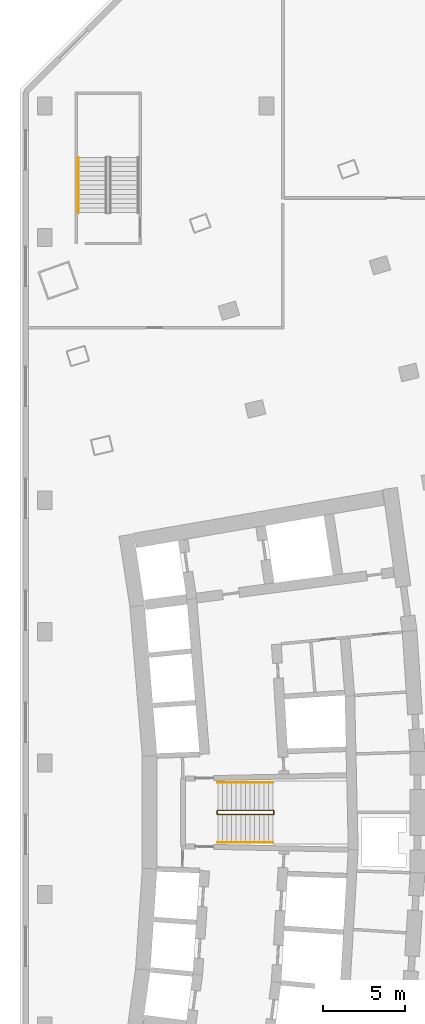
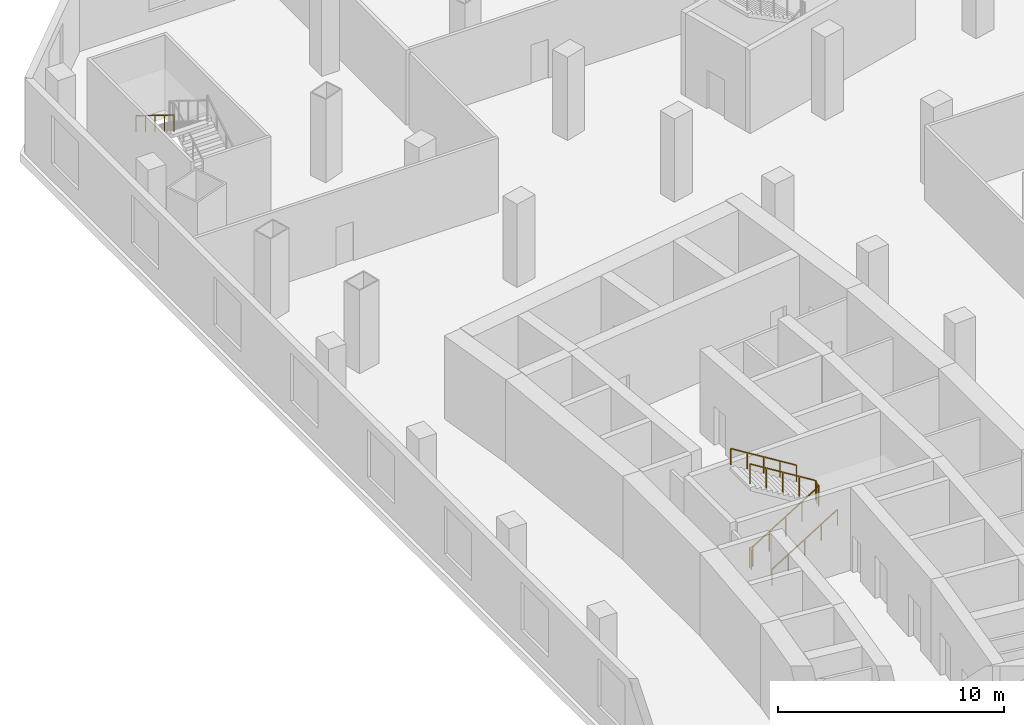
# One storey, part 14 of 16: 4 railings.
"""IFC4 building model written with IfcOpenShell, lengths in metres."""

import ifcopenshell
import ifcopenshell.guid

model = None  # the IFC model being written
_history = None  # IfcOwnerHistory: only IFC2X3 demands one
_inside = {}  # id of a spatial element -> (the spatial element, [elements in it])
_under = {}  # id of a project, library or spatial element -> (it, [spatial elements below it])
_declared = {}  # id of a project -> (the project, [libraries it declares])
_typed = {}  # id of a type object -> (the type object, [elements of that type])
_made_of = {}  # id of a material, layer set ... -> (it, [elements and type objects made of it])


def new_model(schema):
    """Start an empty IFC model of exactly this schema.

    Asked for "IFC4X3", IfcOpenShell would pick the latest addendum, in which some entities
    have other attributes; the version numbers below select the first issue.
    IFC2X3 requires an IfcOwnerHistory on every rooted entity: one is made here for all.
    """
    global model, _history
    if schema == "IFC4X3":
        model = ifcopenshell.file(schema_version=(4, 3, 0, 0))
    else:
        model = ifcopenshell.file(schema=schema)
    _inside.clear()
    _under.clear()
    _declared.clear()
    _typed.clear()
    _made_of.clear()
    _history = None
    if model.schema == "IFC2X3":
        org = make("IfcOrganization", Name="unknown")
        user = make(
            "IfcPersonAndOrganization",
            ThePerson=make("IfcPerson", FamilyName="unknown"),
            TheOrganization=org,
        )
        app = make(
            "IfcApplication",
            ApplicationDeveloper=org,
            Version="unknown",
            ApplicationFullName="unknown",
            ApplicationIdentifier="unknown",
        )
        _history = make(
            "IfcOwnerHistory",
            OwningUser=user,
            OwningApplication=app,
            ChangeAction="ADDED",
            CreationDate=0,
        )
    return model


def make(cls, **values):
    """One entity of the class cls with the attributes given. An attribute that is None is left unset."""
    return model.create_entity(
        cls, **{name: value for name, value in values.items() if value is not None}
    )


def rooted(cls, **values):
    """An entity with a GlobalId (a new one), such as an element, a storey or a relation."""
    return make(cls, GlobalId=ifcopenshell.guid.new(), OwnerHistory=_history, **values)


def si_unit(unit_type, name, prefix=None):
    """IfcSIUnit, for example si_unit("LENGTHUNIT", "METRE", prefix="MILLI")."""
    return make("IfcSIUnit", UnitType=unit_type, Prefix=prefix, Name=name)


def assignment(units):
    """IfcUnitAssignment: the units of a project."""
    return None if units is None else make("IfcUnitAssignment", Units=units)


def point(xyz):
    """IfcCartesianPoint."""
    return None if xyz is None else make("IfcCartesianPoint", Coordinates=xyz)


def direction(xyz):
    """IfcDirection."""
    return None if xyz is None else make("IfcDirection", DirectionRatios=xyz)


def frame(location, z_axis=None, x_axis=None):
    """IfcAxis2Placement3D, a coordinate frame: its origin and axes. An axis left out is left unset."""
    return make(
        "IfcAxis2Placement3D",
        Location=point(location),
        Axis=direction(z_axis),
        RefDirection=direction(x_axis),
    )


def frame_2d(location, x_axis=None):
    """IfcAxis2Placement2D, a coordinate frame in the plane: its origin and x axis."""
    return make(
        "IfcAxis2Placement2D", Location=point(location), RefDirection=direction(x_axis)
    )


def origin():
    """The frame at (0, 0, 0) with its axes left unset."""
    return frame((0.0, 0.0, 0.0))


def origin_with_axes():
    """The frame at (0, 0, 0) with the z axis (0, 0, 1) and the x axis (1, 0, 0) written out."""
    return frame((0.0, 0.0, 0.0), z_axis=(0.0, 0.0, 1.0), x_axis=(1.0, 0.0, 0.0))


def origin_2d():
    """The frame at (0, 0) in the plane with its x axis left unset."""
    return frame_2d((0.0, 0.0))


def place(relative_to, where):
    """IfcLocalPlacement: puts the frame where relative to a parent placement (None: the world)."""
    return make(
        "IfcLocalPlacement", PlacementRelTo=relative_to, RelativePlacement=where
    )


def context(
    kind, dimensions, precision=None, world=None, true_north=None, identifier=None
):
    """IfcGeometricRepresentationContext, for example the 3D "Model" context."""
    return make(
        "IfcGeometricRepresentationContext",
        ContextIdentifier=identifier,
        ContextType=kind,
        CoordinateSpaceDimension=dimensions,
        Precision=precision,
        WorldCoordinateSystem=world,
        TrueNorth=true_north,
    )


def subcontext(parent, identifier, kind, view, scale=None):
    """IfcGeometricRepresentationSubContext, for example "Body" below "Model"."""
    return make(
        "IfcGeometricRepresentationSubContext",
        ContextIdentifier=identifier,
        ContextType=kind,
        ParentContext=parent,
        TargetScale=scale,
        TargetView=view,
    )


def project(units=None, contexts=None):
    """IfcProject with its units and contexts."""
    return rooted(
        "IfcProject",
        Name="project",
        RepresentationContexts=contexts,
        UnitsInContext=assignment(units),
    )


def spatial(cls, under=None, at=None, **own):
    """A site, building, storey or space (cls), placed at a placement, below another one or the project."""
    s = rooted(cls, ObjectPlacement=at, **own)
    if under is not None:
        _under.setdefault(under.id(), (under, []))[1].append(s)
    return s


def profile(cls, at=None, kind="AREA", **sizes):
    """A parametric profile (cls). Its sizes go by their IFC names, for example OverallWidth=200.0."""
    return make(cls, ProfileType=kind, Position=at, **sizes)


def rectangle(**sizes):
    """IfcRectangleProfileDef."""
    return profile("IfcRectangleProfileDef", **sizes)


def extrude(swept, where, along, depth):
    """IfcExtrudedAreaSolid: the profile swept, set in the frame where, extruded along a direction by depth."""
    return make(
        "IfcExtrudedAreaSolid",
        SweptArea=swept,
        Position=where,
        ExtrudedDirection=direction(along),
        Depth=depth,
    )


def shape(context_of_items, identifier, shape_type, items):
    """IfcShapeRepresentation: the items that make up one representation, for example the "Body"."""
    return make(
        "IfcShapeRepresentation",
        ContextOfItems=context_of_items,
        RepresentationIdentifier=identifier,
        RepresentationType=shape_type,
        Items=items,
    )


def material(Name=None, Category=None):
    """IfcMaterial."""
    return make("IfcMaterial", Name=Name, Category=Category)


def made_of(thing, what):
    """Note that an element or type object is made of a material, layer set ...; save() writes the relation."""
    if what is not None:
        _made_of.setdefault(what.id(), (what, []))[1].append(thing)
    return thing


def type_object(cls, material=None, **own):
    """A type object (cls), such as IfcWallType, which elements share."""
    return made_of(rooted(cls, **own), material)


def element(
    cls,
    number,
    at=None,
    inside=None,
    cuts=None,
    type_object=None,
    material=None,
    context=None,
    identifier="Body",
    shape_type=None,
    held_by="IfcProductDefinitionShape",
    body=None,
    shapes=None,
    **own,
):
    """One element of the class cls, such as IfcWall. Its Tag is "e" and its number.

    at: its placement. inside: the storey or other place that contains it. cuts: it is an
    opening in that element (IfcRelVoidsElement). A single representation is given by context,
    identifier, shape_type and body (its items); several are given by shapes. held_by: the class
    of the entity that holds the representations. save() writes the other relations.
    """
    e = rooted(cls, Tag="e%d" % number, ObjectPlacement=at, **own)
    if body is not None:
        shapes = [shape(context, identifier, shape_type, body)]
    if shapes is not None:
        e.Representation = make(held_by, Representations=shapes)
    if inside is not None:
        _inside.setdefault(inside.id(), (inside, []))[1].append(e)
    if cuts is not None:
        rooted(
            "IfcRelVoidsElement", RelatingBuildingElement=cuts, RelatedOpeningElement=e
        )
    if type_object is not None:
        _typed.setdefault(type_object.id(), (type_object, []))[1].append(e)
    return made_of(e, material)


def aggregate(whole, parts):
    """IfcRelAggregates: a whole, such as a stair, and the parts it consists of."""
    return rooted("IfcRelAggregates", RelatingObject=whole, RelatedObjects=parts)


def save(model, path):
    """Write the relations noted so far, then the file.

    IfcRelAggregates (storeys below a building ...), IfcRelContainedInSpatialStructure (elements
    in a storey), IfcRelDefinesByType, IfcRelAssociatesMaterial and IfcRelDeclares: one each for
    every whole, place, type object, material and project.
    """
    for whole, parts in _under.values():
        aggregate(whole, parts)
    for where, things in _inside.values():
        rooted(
            "IfcRelContainedInSpatialStructure",
            RelatedElements=things,
            RelatingStructure=where,
        )
    for kind, things in _typed.values():
        rooted("IfcRelDefinesByType", RelatedObjects=things, RelatingType=kind)
    for what, things in _made_of.values():
        rooted("IfcRelAssociatesMaterial", RelatedObjects=things, RelatingMaterial=what)
    for by, libraries in _declared.values():
        rooted("IfcRelDeclares", RelatingContext=by, RelatedDefinitions=libraries)
    model.write(path)


model = new_model("IFC4")

# Units and contexts
model_context = context("Model", 3, precision=1e-05, world=origin(), true_north=direction((0.0, 1.0)))
body_context = subcontext(model_context, "Body", "Model", "MODEL_VIEW")
ifc_project = project(units=[si_unit("LENGTHUNIT", "METRE"), si_unit("AREAUNIT", "SQUARE_METRE"), si_unit("VOLUMEUNIT", "CUBIC_METRE"), si_unit("PLANEANGLEUNIT", "RADIAN"), si_unit("MASSUNIT", "GRAM", prefix="KILO")], contexts=[model_context])

# Site, building, storey
site_placement = place(None, origin())
site = spatial("IfcSite", under=ifc_project, at=site_placement, CompositionType="ELEMENT")
building_placement = place(site_placement, origin())
building = spatial("IfcBuilding", under=site, at=building_placement, Name="Alderwake Tower", CompositionType="ELEMENT")
storey_placement = place(building_placement, frame((0.0, 0.0, 18.5)))
storey = spatial("IfcBuildingStorey", under=building, at=storey_placement, Name="L03", CompositionType="ELEMENT", Elevation=18.5)

# Railings
ifc_material_1 = material(Name="Stainless steel guard", Category="steel")
railing_type_1 = type_object("IfcRailingType", Name="Stair guard 1100", PredefinedType="GUARDRAIL", material=ifc_material_1)
railing_1_placement = place(storey_placement, frame((20.989990234375, 60.925048828125, 0.0)))
element("IfcRailing", 1, at=railing_1_placement, inside=storey, type_object=railing_type_1, Name="L03 ST-B stair guard 1", PredefinedType="GUARDRAIL", context=body_context, shape_type="SweptSolid", body=[
    extrude(rectangle(XDim=0.048095703125, YDim=0.048095703125, at=origin_2d()), frame((0.0, 0.0, 1.076171875), z_axis=(0.0, 1.0, 0.0), x_axis=(-1.0, 0.0, 0.0)), (0.0, 0.0, 1.0), 0.14990234375),
    extrude(rectangle(XDim=0.048095703125, YDim=0.048095703125, at=origin_2d()), frame((0.0, 0.14990234375, 1.076171875), z_axis=(0.185944045274, -0.742869136974, 0.643094283413), x_axis=(0.970072785993, 0.242814311512, 0.0)), (0.0, 0.0, 1.0), 0.26904296875),
    extrude(rectangle(XDim=0.048095703125, YDim=0.048095703125, at=origin_2d()), frame((0.050048828125, -0.050048828125, 1.2490234375), z_axis=(0.850606129759, 0.0, 0.525803396734), x_axis=(0.0, 1.0, 0.0)), (0.0, 0.0, 1.0), 3.949951171875),
    extrude(rectangle(XDim=0.048095703125, YDim=0.048095703125, at=origin_2d()), frame((3.409912109375, -0.050048828125, 3.326171875), z_axis=(0.707106781187, 0.707106781187, 0.0), x_axis=(-0.707106781187, 0.707106781187, 0.0)), (0.0, 0.0, 1.0), 0.07080078125),
    extrude(rectangle(XDim=0.048095703125, YDim=0.048095703125, at=origin_2d()), frame((3.4599609375, 0.0, 3.326171875), z_axis=(0.0, 1.0, 0.0), x_axis=(-1.0, 0.0, 0.0)), (0.0, 0.0, 1.0), 0.14990234375),
    extrude(rectangle(XDim=0.048095703125, YDim=0.048095703125, at=origin_2d()), frame((3.4599609375, 0.14990234375, 3.326171875), z_axis=(-0.267629722418, 0.267629722418, 0.925607186314), x_axis=(-0.707106781187, -0.707106781187, 0.0)), (0.0, 0.0, 1.0), 0.18701171875),
    extrude(rectangle(XDim=0.048095703125, YDim=0.048095703125, at=origin_2d()), frame((3.409912109375, 0.199951171875, 3.4990234375), z_axis=(-0.850606129759, 0.0, 0.525803396734), x_axis=(0.0, -1.0, 0.0)), (0.0, 0.0, 1.0), 3.949951171875),
    extrude(rectangle(XDim=0.0419921875, YDim=0.0419921875, at=origin_2d()), frame((0.0, 0.0, 0.0), z_axis=(0.0, 0.0, 1.0), x_axis=(0.0, 1.0, 0.0)), (0.0, 0.0, 1.0), 1.052001953125),
    extrude(rectangle(XDim=0.0419921875, YDim=0.0419921875, at=origin_2d()), frame((0.0, 0.14990234375, 0.0), z_axis=(0.0, 0.0, 1.0), x_axis=(0.242814311512, -0.970072785993, 0.0)), (0.0, 0.0, 1.0), 1.052001953125),
    extrude(rectangle(XDim=0.0419921875, YDim=0.0419921875, at=origin_2d()), frame((0.050048828125, -0.050048828125, 0.173095703125), z_axis=(0.0, 0.0, 1.0), x_axis=(1.0, 0.0, 0.0)), (0.0, 0.0, 1.0), 1.052001953125),
    extrude(rectangle(XDim=0.0419921875, YDim=0.0419921875, at=origin_2d()), frame((0.89013671875, -0.050048828125, 0.6923828125), z_axis=(0.0, 0.0, 1.0), x_axis=(1.0, 0.0, 0.0)), (0.0, 0.0, 1.0), 1.052001953125),
    extrude(rectangle(XDim=0.0419921875, YDim=0.0419921875, at=origin_2d()), frame((1.72998046875, -0.050048828125, 1.21142578125), z_axis=(0.0, 0.0, 1.0), x_axis=(1.0, 0.0, 0.0)), (0.0, 0.0, 1.0), 1.052001953125),
    extrude(rectangle(XDim=0.0419921875, YDim=0.0419921875, at=origin_2d()), frame((2.56982421875, -0.050048828125, 1.730712890625), z_axis=(0.0, 0.0, 1.0), x_axis=(1.0, 0.0, 0.0)), (0.0, 0.0, 1.0), 1.052001953125),
    extrude(rectangle(XDim=0.0419921875, YDim=0.0419921875, at=origin_2d()), frame((3.409912109375, -0.050048828125, 2.25), z_axis=(0.0, 0.0, 1.0), x_axis=(0.707106781187, 0.707106781187, 0.0)), (0.0, 0.0, 1.0), 1.052001953125),
    extrude(rectangle(XDim=0.0419921875, YDim=0.0419921875, at=origin_2d()), frame((3.4599609375, 0.0, 2.25), z_axis=(0.0, 0.0, 1.0), x_axis=(0.0, 1.0, 0.0)), (0.0, 0.0, 1.0), 1.052001953125),
    extrude(rectangle(XDim=0.0419921875, YDim=0.0419921875, at=origin_2d()), frame((3.4599609375, 0.14990234375, 2.25), z_axis=(0.0, 0.0, 1.0), x_axis=(-0.707106781187, 0.707106781187, 0.0)), (0.0, 0.0, 1.0), 1.052001953125),
    extrude(rectangle(XDim=0.0419921875, YDim=0.0419921875, at=origin_2d()), frame((3.409912109375, 0.199951171875, 2.423095703125), z_axis=(0.0, 0.0, 1.0), x_axis=(-1.0, 0.0, 0.0)), (0.0, 0.0, 1.0), 1.052001953125),
    extrude(rectangle(XDim=0.0419921875, YDim=0.0419921875, at=origin_2d()), frame((2.56982421875, 0.199951171875, 2.9423828125), z_axis=(0.0, 0.0, 1.0), x_axis=(-1.0, 0.0, 0.0)), (0.0, 0.0, 1.0), 1.052001953125),
    extrude(rectangle(XDim=0.0419921875, YDim=0.0419921875, at=origin_2d()), frame((1.72998046875, 0.199951171875, 3.46142578125), z_axis=(0.0, 0.0, 1.0), x_axis=(-1.0, 0.0, 0.0)), (0.0, 0.0, 1.0), 1.052001953125),
    extrude(rectangle(XDim=0.0419921875, YDim=0.0419921875, at=origin_2d()), frame((0.89013671875, 0.199951171875, 3.980712890625), z_axis=(0.0, 0.0, 1.0), x_axis=(-1.0, 0.0, 0.0)), (0.0, 0.0, 1.0), 1.052001953125),
    extrude(rectangle(XDim=0.0419921875, YDim=0.0419921875, at=origin_2d()), frame((0.050048828125, 0.199951171875, 4.5), z_axis=(0.0, 0.0, 1.0), x_axis=(-1.0, 0.0, 0.0)), (0.0, 0.0, 1.0), 1.052001953125),
])
ifc_material_2 = material(Name="Stainless steel handrail", Category="steel")
railing_type_2 = type_object("IfcRailingType", Name="Stair handrail 900", PredefinedType="HANDRAIL", material=ifc_material_2)
railing_2_placement = place(storey_placement, frame((21.0400390625, 59.175048828125, 0.173095703125)))
element("IfcRailing", 2, at=railing_2_placement, inside=storey, type_object=railing_type_2, Name="L03 ST-B stair handrail 1", PredefinedType="HANDRAIL", context=body_context, shape_type="SweptSolid", body=[
    extrude(rectangle(XDim=0.048095703125, YDim=0.048095703125, at=origin_2d()), frame((0.0, 0.0, 0.8759765625), z_axis=(0.850606129759, 0.0, 0.525803396734), x_axis=(0.0, 1.0, 0.0)), (0.0, 0.0, 1.0), 3.949951171875),
    extrude(rectangle(XDim=0.0419921875, YDim=0.0419921875, at=origin_2d()), origin_with_axes(), (0.0, 0.0, 1.0), 0.851806640625),
    extrude(rectangle(XDim=0.0419921875, YDim=0.0419921875, at=origin_2d()), frame((0.83984375, 0.0, 0.519287109375), z_axis=(0.0, 0.0, 1.0), x_axis=(1.0, 0.0, 0.0)), (0.0, 0.0, 1.0), 0.851806640625),
    extrude(rectangle(XDim=0.0419921875, YDim=0.0419921875, at=origin_2d()), frame((1.679931640625, 0.0, 1.03857421875), z_axis=(0.0, 0.0, 1.0), x_axis=(1.0, 0.0, 0.0)), (0.0, 0.0, 1.0), 0.851806640625),
    extrude(rectangle(XDim=0.0419921875, YDim=0.0419921875, at=origin_2d()), frame((2.52001953125, 0.0, 1.5576171875), z_axis=(0.0, 0.0, 1.0), x_axis=(1.0, 0.0, 0.0)), (0.0, 0.0, 1.0), 0.851806640625),
    extrude(rectangle(XDim=0.0419921875, YDim=0.0419921875, at=origin_2d()), frame((3.35986328125, 0.0, 2.076904296875), z_axis=(0.0, 0.0, 1.0), x_axis=(1.0, 0.0, 0.0)), (0.0, 0.0, 1.0), 0.851806640625),
])
railing_3_placement = place(storey_placement, frame((24.39990234375, 62.824951171875, 2.423095703125)))
element("IfcRailing", 3, at=railing_3_placement, inside=storey, type_object=railing_type_2, Name="L03 ST-B stair handrail 2", PredefinedType="HANDRAIL", context=body_context, shape_type="SweptSolid", body=[
    extrude(rectangle(XDim=0.048095703125, YDim=0.048095703125, at=origin_2d()), frame((0.0, 0.0, 0.8759765625), z_axis=(-0.850606129759, 0.0, 0.525803396734), x_axis=(0.0, -1.0, 0.0)), (0.0, 0.0, 1.0), 3.949951171875),
    extrude(rectangle(XDim=0.0419921875, YDim=0.0419921875, at=origin_2d()), frame((0.0, 0.0, 0.0), z_axis=(0.0, 0.0, 1.0), x_axis=(-1.0, 0.0, 0.0)), (0.0, 0.0, 1.0), 0.851806640625),
    extrude(rectangle(XDim=0.0419921875, YDim=0.0419921875, at=origin_2d()), frame((-0.83984375, 0.0, 0.519287109375), z_axis=(0.0, 0.0, 1.0), x_axis=(-1.0, 0.0, 0.0)), (0.0, 0.0, 1.0), 0.851806640625),
    extrude(rectangle(XDim=0.0419921875, YDim=0.0419921875, at=origin_2d()), frame((-1.679931640625, 0.0, 1.03857421875), z_axis=(0.0, 0.0, 1.0), x_axis=(-1.0, 0.0, 0.0)), (0.0, 0.0, 1.0), 0.851806640625),
    extrude(rectangle(XDim=0.0419921875, YDim=0.0419921875, at=origin_2d()), frame((-2.52001953125, 0.0, 1.5576171875), z_axis=(0.0, 0.0, 1.0), x_axis=(-1.0, 0.0, 0.0)), (0.0, 0.0, 1.0), 0.851806640625),
    extrude(rectangle(XDim=0.0419921875, YDim=0.0419921875, at=origin_2d()), frame((-3.35986328125, 0.0, 2.076904296875), z_axis=(0.0, 0.0, 1.0), x_axis=(-1.0, 0.0, 0.0)), (0.0, 0.0, 1.0), 0.851806640625),
])
railing_4_placement = place(storey_placement, frame((12.550048828125, 100.860107421875, 2.423095703125)))
element("IfcRailing", 4, at=railing_4_placement, inside=storey, type_object=railing_type_2, Name="L03 ST-P2 stair handrail 2", PredefinedType="HANDRAIL", context=body_context, shape_type="SweptSolid", body=[
    extrude(rectangle(XDim=0.048095703125, YDim=0.048095703125, at=origin_2d()), frame((0.0, 0.0, 0.8759765625), z_axis=(0.0, -0.850623216509, 0.525775754039), x_axis=(1.0, 0.0, 0.0)), (0.0, 0.0, 1.0), 3.9501953125),
    extrude(rectangle(XDim=0.0419921875, YDim=0.0419921875, at=origin_2d()), frame((0.0, 0.0, 0.0), z_axis=(0.0, 0.0, 1.0), x_axis=(0.0, -1.0, 0.0)), (0.0, 0.0, 1.0), 0.851806640625),
    extrude(rectangle(XDim=0.0419921875, YDim=0.0419921875, at=origin_2d()), frame((0.0, -0.840087890625, 0.519287109375), z_axis=(0.0, 0.0, 1.0), x_axis=(0.0, -1.0, 0.0)), (0.0, 0.0, 1.0), 0.851806640625),
    extrude(rectangle(XDim=0.0419921875, YDim=0.0419921875, at=origin_2d()), frame((0.0, -1.68017578125, 1.03857421875), z_axis=(0.0, 0.0, 1.0), x_axis=(0.0, -1.0, 0.0)), (0.0, 0.0, 1.0), 0.851806640625),
    extrude(rectangle(XDim=0.0419921875, YDim=0.0419921875, at=origin_2d()), frame((0.0, -2.52001953125, 1.5576171875), z_axis=(0.0, 0.0, 1.0), x_axis=(0.0, -1.0, 0.0)), (0.0, 0.0, 1.0), 0.851806640625),
    extrude(rectangle(XDim=0.0419921875, YDim=0.0419921875, at=origin_2d()), frame((0.0, -3.360107421875, 2.076904296875), z_axis=(0.0, 0.0, 1.0), x_axis=(0.0, -1.0, 0.0)), (0.0, 0.0, 1.0), 0.851806640625),
])

save(model, "model.ifc")
